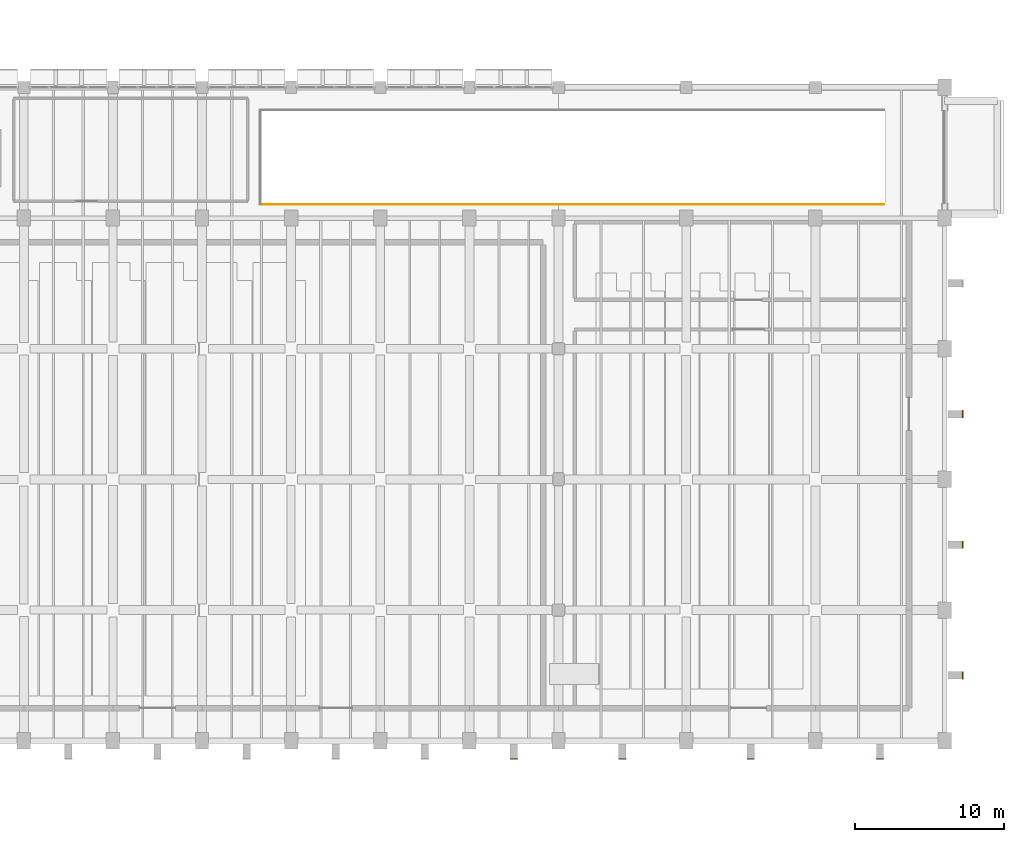
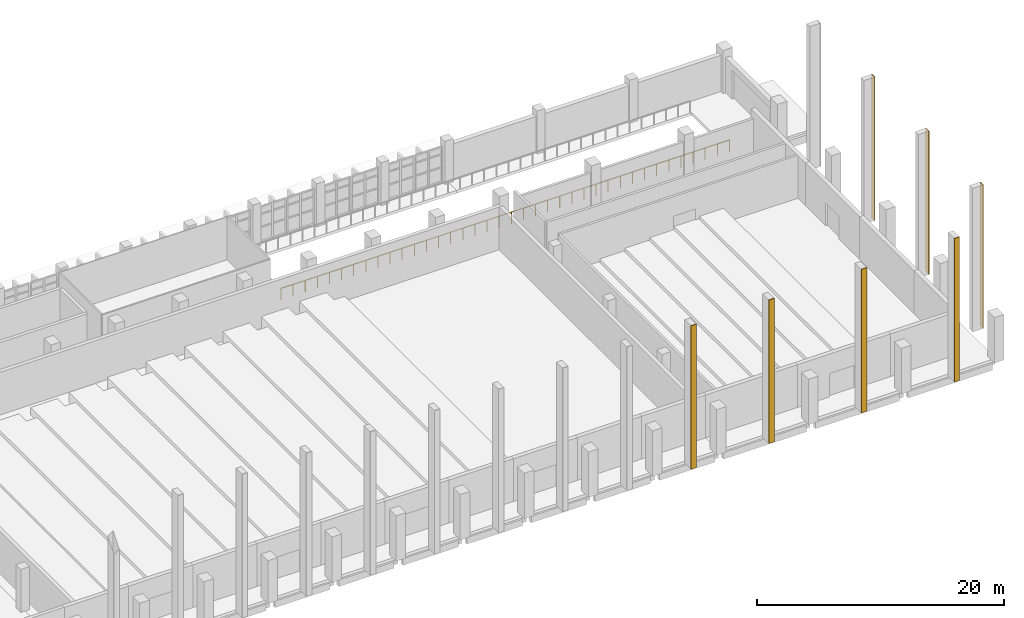
# One storey, part 75 of 76: 7 coverings, 1 railing.
"""IFC4 building model written with IfcOpenShell, lengths in metres."""

from ifc_helpers import new_model, si_unit, direction, frame, origin, origin_2d, place, context, subcontext, project, spatial, rectangle, circle, extrude, material, layer, layer_set, type_object, element, save


model = new_model("IFC4")

# Units and contexts
model_context = context("Model", 3, precision=1e-05, world=origin(), true_north=direction((0.0, 1.0)))
body_context = subcontext(model_context, "Body", "Model", "MODEL_VIEW")
ifc_project = project(units=[si_unit("LENGTHUNIT", "METRE"), si_unit("AREAUNIT", "SQUARE_METRE"), si_unit("VOLUMEUNIT", "CUBIC_METRE"), si_unit("PLANEANGLEUNIT", "RADIAN"), si_unit("MASSUNIT", "GRAM", prefix="KILO")], contexts=[model_context])

# Site, building, storey
site_placement = place(None, origin())
site = spatial("IfcSite", under=ifc_project, at=site_placement, CompositionType="ELEMENT")
building_placement = place(site_placement, origin())
building = spatial("IfcBuilding", under=site, at=building_placement, Name="Varnakota Cinema and Media Centre", CompositionType="ELEMENT")
storey_placement = place(building_placement, origin())
storey = spatial("IfcBuildingStorey", under=building, at=storey_placement, Name="L00", CompositionType="ELEMENT", Elevation=0.0)

# Coverings
ifc_material_1 = material(Name="Pale Tandur limestone cladding", Category="masonry")
ifc_layer_1 = layer(ifc_material_1, 0.06005859375)
ifc_layer_set_1 = layer_set([ifc_layer_1], Name="Pale Tandur limestone cladding")
covering_type = type_object("IfcCoveringType", Name="COV-TANDUR-ASHLAR-60", PredefinedType="CLADDING", material=ifc_layer_set_1)
for number, where, z_axis, x_axis, name in (
    (1, (132.0, -1.22509765625, 0.0), (0.0, 0.0, 1.0), (1.0, 0.0, 0.0), "Hall south buttress pale stone nose 10"),
    (2, (139.300048828125, -1.22509765625, 0.0), (0.0, 0.0, 1.0), (1.0, 0.0, 0.0), "Hall south buttress pale stone nose 11"),
    (3, (147.949951171875, -1.22509765625, 0.0), (0.0, 0.0, 1.0), (1.0, 0.0, 0.0), "Hall south buttress pale stone nose 12"),
    (4, (156.64990234375, -1.22509765625, 0.0), (0.0, 0.0, 1.0), (1.0, 0.0, 0.0), "Hall south buttress pale stone nose 13"),
):
    element("IfcCovering", number, at=place(storey_placement, frame(where, z_axis=z_axis, x_axis=x_axis)), inside=storey, type_object=covering_type, Name=name, PredefinedType="CLADDING", context=body_context, shape_type="SweptSolid", body=[
        extrude(rectangle(XDim=0.5, YDim=0.06005859375, at=origin_2d()), origin(), (0.0, 0.0, 1.0), 14.199951171875),
    ])
for number, where, z_axis, x_axis, name in (
    (5, (162.22509765625, 4.39990234375, 0.0), (0.0, 0.0, 1.0), (1.0, 0.0, 0.0), "Hall east buttress pale stone nose 1"),
    (6, (162.22509765625, 13.199951171875, 0.0), (0.0, 0.0, 1.0), (1.0, 0.0, 0.0), "Hall east buttress pale stone nose 2"),
    (7, (162.22509765625, 22.0, 0.0), (0.0, 0.0, 1.0), (1.0, 0.0, 0.0), "Hall east buttress pale stone nose 3"),
):
    element("IfcCovering", number, at=place(storey_placement, frame(where, z_axis=z_axis, x_axis=x_axis)), inside=storey, type_object=covering_type, Name=name, PredefinedType="CLADDING", context=body_context, shape_type="SweptSolid", body=[
        extrude(rectangle(XDim=0.06005859375, YDim=0.5, at=origin_2d()), origin(), (0.0, 0.0, 1.0), 14.199951171875),
    ])

# Railing
ifc_material_2 = material(Name="Anodised golden-bronze steel Grade 350 (E350)", Category="steel")
ifc_layer_2 = layer(ifc_material_2, 0.050048828125)
ifc_layer_set_2 = layer_set([ifc_layer_2], Name="Anodised golden-bronze steel Grade 350 (E350)")
railing_type = type_object("IfcRailingType", Name="RAIL-GUARD-1150", PredefinedType="BALUSTRADE", material=ifc_layer_set_2)
railing_placement = place(storey_placement, frame((156.919921875, 36.1201171875, 0.0)))
element("IfcRailing", 8, at=railing_placement, inside=storey, type_object=railing_type, Name="L00 guard balustrade GRD-L00-RAMP-1", PredefinedType="BALUSTRADE", context=body_context, shape_type="SweptSolid", body=[
    extrude(circle(Radius=0.02392578125, at=origin_2d()), frame((0.0, 0.0, 1.1259765625), z_axis=(-1.0, 0.0, 0.0), x_axis=(0.0, -1.0, 0.0)), (0.0, 0.0, 1.0), 41.969970703125),
    extrude(circle(Radius=0.02099609375, at=origin_2d()), origin(), (0.0, 0.0, 1.0), 1.101806640625),
    extrude(circle(Radius=0.02099609375, at=origin_2d()), frame((-1.13427734375, 0.0, 0.0)), (0.0, 0.0, 1.0), 1.101806640625),
    extrude(circle(Radius=0.02099609375, at=origin_2d()), frame((-2.2685546875, 0.0, 0.0)), (0.0, 0.0, 1.0), 1.101806640625),
    extrude(circle(Radius=0.02099609375, at=origin_2d()), frame((-3.403076171875, 0.0, 0.0)), (0.0, 0.0, 1.0), 1.101806640625),
    extrude(circle(Radius=0.02099609375, at=origin_2d()), frame((-4.537353515625, 0.0, 0.0)), (0.0, 0.0, 1.0), 1.101806640625),
    extrude(circle(Radius=0.02099609375, at=origin_2d()), frame((-5.671630859375, 0.0, 0.0)), (0.0, 0.0, 1.0), 1.101806640625),
    extrude(circle(Radius=0.02099609375, at=origin_2d()), frame((-6.805908203125, 0.0, 0.0)), (0.0, 0.0, 1.0), 1.101806640625),
    extrude(circle(Radius=0.02099609375, at=origin_2d()), frame((-7.940185546875, 0.0, 0.0)), (0.0, 0.0, 1.0), 1.101806640625),
    extrude(circle(Radius=0.02099609375, at=origin_2d()), frame((-9.07470703125, 0.0, 0.0)), (0.0, 0.0, 1.0), 1.101806640625),
    extrude(circle(Radius=0.02099609375, at=origin_2d()), frame((-10.208984375, 0.0, 0.0)), (0.0, 0.0, 1.0), 1.101806640625),
    extrude(circle(Radius=0.02099609375, at=origin_2d()), frame((-11.34326171875, 0.0, 0.0)), (0.0, 0.0, 1.0), 1.101806640625),
    extrude(circle(Radius=0.02099609375, at=origin_2d()), frame((-12.4775390625, 0.0, 0.0)), (0.0, 0.0, 1.0), 1.101806640625),
    extrude(circle(Radius=0.02099609375, at=origin_2d()), frame((-13.61181640625, 0.0, 0.0)), (0.0, 0.0, 1.0), 1.101806640625),
    extrude(circle(Radius=0.02099609375, at=origin_2d()), frame((-14.74609375, 0.0, 0.0)), (0.0, 0.0, 1.0), 1.101806640625),
    extrude(circle(Radius=0.02099609375, at=origin_2d()), frame((-15.880615234375, 0.0, 0.0)), (0.0, 0.0, 1.0), 1.101806640625),
    extrude(circle(Radius=0.02099609375, at=origin_2d()), frame((-17.014892578125, 0.0, 0.0)), (0.0, 0.0, 1.0), 1.101806640625),
    extrude(circle(Radius=0.02099609375, at=origin_2d()), frame((-18.149169921875, 0.0, 0.0)), (0.0, 0.0, 1.0), 1.101806640625),
    extrude(circle(Radius=0.02099609375, at=origin_2d()), frame((-19.283447265625, 0.0, 0.0)), (0.0, 0.0, 1.0), 1.101806640625),
    extrude(circle(Radius=0.02099609375, at=origin_2d()), frame((-20.417724609375, 0.0, 0.0)), (0.0, 0.0, 1.0), 1.101806640625),
    extrude(circle(Radius=0.02099609375, at=origin_2d()), frame((-21.55224609375, 0.0, 0.0)), (0.0, 0.0, 1.0), 1.101806640625),
    extrude(circle(Radius=0.02099609375, at=origin_2d()), frame((-22.6865234375, 0.0, 0.0)), (0.0, 0.0, 1.0), 1.101806640625),
    extrude(circle(Radius=0.02099609375, at=origin_2d()), frame((-23.82080078125, 0.0, 0.0)), (0.0, 0.0, 1.0), 1.101806640625),
    extrude(circle(Radius=0.02099609375, at=origin_2d()), frame((-24.955078125, 0.0, 0.0)), (0.0, 0.0, 1.0), 1.101806640625),
    extrude(circle(Radius=0.02099609375, at=origin_2d()), frame((-26.08935546875, 0.0, 0.0)), (0.0, 0.0, 1.0), 1.101806640625),
    extrude(circle(Radius=0.02099609375, at=origin_2d()), frame((-27.223876953125, 0.0, 0.0)), (0.0, 0.0, 1.0), 1.101806640625),
    extrude(circle(Radius=0.02099609375, at=origin_2d()), frame((-28.358154296875, 0.0, 0.0)), (0.0, 0.0, 1.0), 1.101806640625),
    extrude(circle(Radius=0.02099609375, at=origin_2d()), frame((-29.492431640625, 0.0, 0.0)), (0.0, 0.0, 1.0), 1.101806640625),
    extrude(circle(Radius=0.02099609375, at=origin_2d()), frame((-30.626708984375, 0.0, 0.0)), (0.0, 0.0, 1.0), 1.101806640625),
    extrude(circle(Radius=0.02099609375, at=origin_2d()), frame((-31.760986328125, 0.0, 0.0)), (0.0, 0.0, 1.0), 1.101806640625),
    extrude(circle(Radius=0.02099609375, at=origin_2d()), frame((-32.895263671875, 0.0, 0.0)), (0.0, 0.0, 1.0), 1.101806640625),
    extrude(circle(Radius=0.02099609375, at=origin_2d()), frame((-34.02978515625, 0.0, 0.0)), (0.0, 0.0, 1.0), 1.101806640625),
    extrude(circle(Radius=0.02099609375, at=origin_2d()), frame((-35.1640625, 0.0, 0.0)), (0.0, 0.0, 1.0), 1.101806640625),
    extrude(circle(Radius=0.02099609375, at=origin_2d()), frame((-36.29833984375, 0.0, 0.0)), (0.0, 0.0, 1.0), 1.101806640625),
    extrude(circle(Radius=0.02099609375, at=origin_2d()), frame((-37.4326171875, 0.0, 0.0)), (0.0, 0.0, 1.0), 1.101806640625),
    extrude(circle(Radius=0.02099609375, at=origin_2d()), frame((-38.56689453125, 0.0, 0.0)), (0.0, 0.0, 1.0), 1.101806640625),
    extrude(circle(Radius=0.02099609375, at=origin_2d()), frame((-39.701416015625, 0.0, 0.0)), (0.0, 0.0, 1.0), 1.101806640625),
    extrude(circle(Radius=0.02099609375, at=origin_2d()), frame((-40.835693359375, 0.0, 0.0)), (0.0, 0.0, 1.0), 1.101806640625),
    extrude(circle(Radius=0.02099609375, at=origin_2d()), frame((-41.969970703125, 0.0, 0.0)), (0.0, 0.0, 1.0), 1.101806640625),
])

save(model, "model.ifc")
